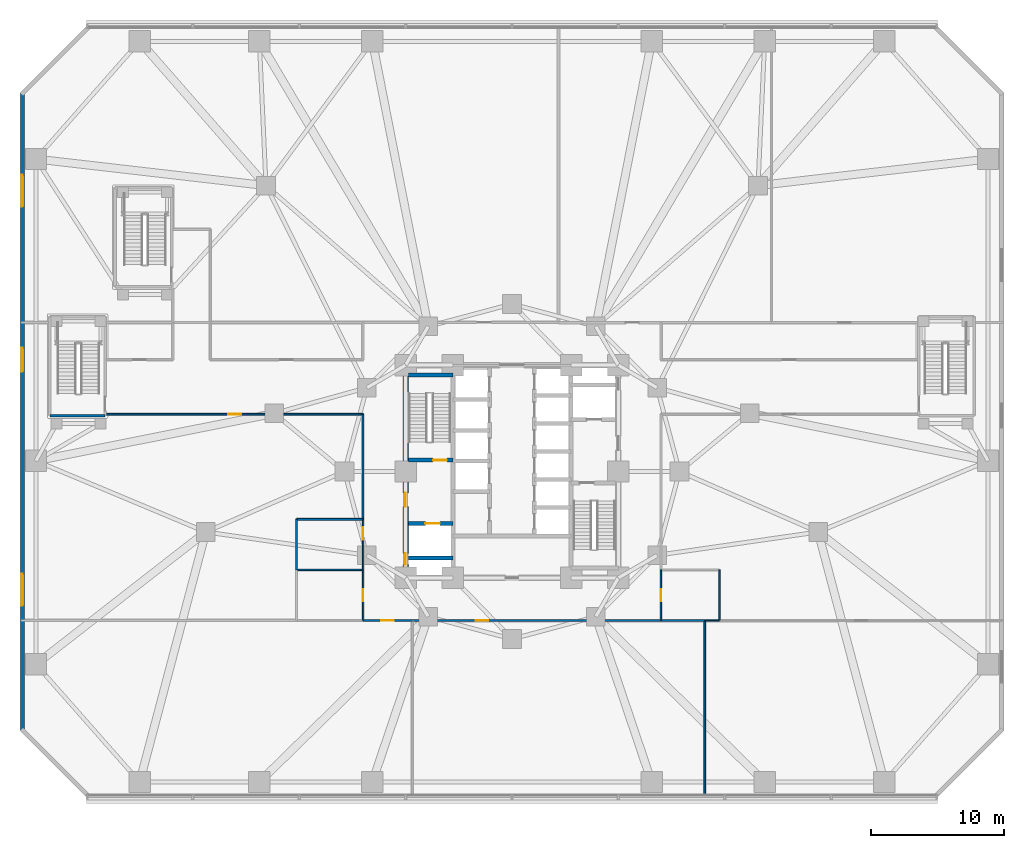
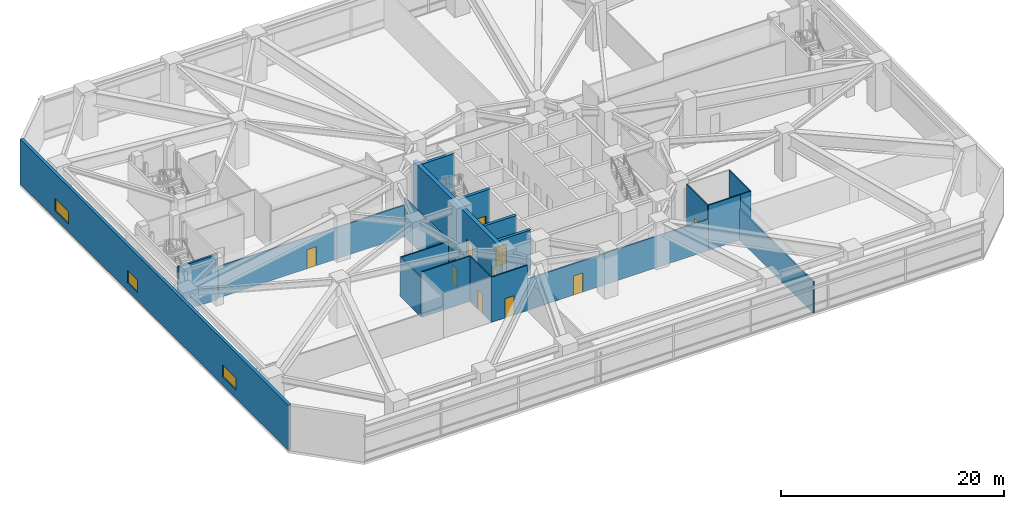
# One storey, part 15 of 27: 21 walls, 10 doors, 3 windows, 13 openings.
"""IFC4 building model written with IfcOpenShell, lengths in metres."""

import ifcopenshell
import ifcopenshell.guid

model = None  # the IFC model being written
_history = None  # IfcOwnerHistory: only IFC2X3 demands one
_inside = {}  # id of a spatial element -> (the spatial element, [elements in it])
_under = {}  # id of a project, library or spatial element -> (it, [spatial elements below it])
_declared = {}  # id of a project -> (the project, [libraries it declares])
_typed = {}  # id of a type object -> (the type object, [elements of that type])
_made_of = {}  # id of a material, layer set ... -> (it, [elements and type objects made of it])


def new_model(schema):
    """Start an empty IFC model of exactly this schema.

    Asked for "IFC4X3", IfcOpenShell would pick the latest addendum, in which some entities
    have other attributes; the version numbers below select the first issue.
    IFC2X3 requires an IfcOwnerHistory on every rooted entity: one is made here for all.
    """
    global model, _history
    if schema == "IFC4X3":
        model = ifcopenshell.file(schema_version=(4, 3, 0, 0))
    else:
        model = ifcopenshell.file(schema=schema)
    _inside.clear()
    _under.clear()
    _declared.clear()
    _typed.clear()
    _made_of.clear()
    _history = None
    if model.schema == "IFC2X3":
        org = make("IfcOrganization", Name="unknown")
        user = make(
            "IfcPersonAndOrganization",
            ThePerson=make("IfcPerson", FamilyName="unknown"),
            TheOrganization=org,
        )
        app = make(
            "IfcApplication",
            ApplicationDeveloper=org,
            Version="unknown",
            ApplicationFullName="unknown",
            ApplicationIdentifier="unknown",
        )
        _history = make(
            "IfcOwnerHistory",
            OwningUser=user,
            OwningApplication=app,
            ChangeAction="ADDED",
            CreationDate=0,
        )
    return model


def make(cls, **values):
    """One entity of the class cls with the attributes given. An attribute that is None is left unset."""
    return model.create_entity(
        cls, **{name: value for name, value in values.items() if value is not None}
    )


def rooted(cls, **values):
    """An entity with a GlobalId (a new one), such as an element, a storey or a relation."""
    return make(cls, GlobalId=ifcopenshell.guid.new(), OwnerHistory=_history, **values)


def si_unit(unit_type, name, prefix=None):
    """IfcSIUnit, for example si_unit("LENGTHUNIT", "METRE", prefix="MILLI")."""
    return make("IfcSIUnit", UnitType=unit_type, Prefix=prefix, Name=name)


def assignment(units):
    """IfcUnitAssignment: the units of a project."""
    return None if units is None else make("IfcUnitAssignment", Units=units)


def point(xyz):
    """IfcCartesianPoint."""
    return None if xyz is None else make("IfcCartesianPoint", Coordinates=xyz)


def direction(xyz):
    """IfcDirection."""
    return None if xyz is None else make("IfcDirection", DirectionRatios=xyz)


def frame(location, z_axis=None, x_axis=None):
    """IfcAxis2Placement3D, a coordinate frame: its origin and axes. An axis left out is left unset."""
    return make(
        "IfcAxis2Placement3D",
        Location=point(location),
        Axis=direction(z_axis),
        RefDirection=direction(x_axis),
    )


def frame_2d(location, x_axis=None):
    """IfcAxis2Placement2D, a coordinate frame in the plane: its origin and x axis."""
    return make(
        "IfcAxis2Placement2D", Location=point(location), RefDirection=direction(x_axis)
    )


def origin():
    """The frame at (0, 0, 0) with its axes left unset."""
    return frame((0.0, 0.0, 0.0))


def place(relative_to, where):
    """IfcLocalPlacement: puts the frame where relative to a parent placement (None: the world)."""
    return make(
        "IfcLocalPlacement", PlacementRelTo=relative_to, RelativePlacement=where
    )


def context(
    kind, dimensions, precision=None, world=None, true_north=None, identifier=None
):
    """IfcGeometricRepresentationContext, for example the 3D "Model" context."""
    return make(
        "IfcGeometricRepresentationContext",
        ContextIdentifier=identifier,
        ContextType=kind,
        CoordinateSpaceDimension=dimensions,
        Precision=precision,
        WorldCoordinateSystem=world,
        TrueNorth=true_north,
    )


def subcontext(parent, identifier, kind, view, scale=None):
    """IfcGeometricRepresentationSubContext, for example "Body" below "Model"."""
    return make(
        "IfcGeometricRepresentationSubContext",
        ContextIdentifier=identifier,
        ContextType=kind,
        ParentContext=parent,
        TargetScale=scale,
        TargetView=view,
    )


def project(units=None, contexts=None):
    """IfcProject with its units and contexts."""
    return rooted(
        "IfcProject",
        Name="project",
        RepresentationContexts=contexts,
        UnitsInContext=assignment(units),
    )


def spatial(cls, under=None, at=None, **own):
    """A site, building, storey or space (cls), placed at a placement, below another one or the project."""
    s = rooted(cls, ObjectPlacement=at, **own)
    if under is not None:
        _under.setdefault(under.id(), (under, []))[1].append(s)
    return s


def profile(cls, at=None, kind="AREA", **sizes):
    """A parametric profile (cls). Its sizes go by their IFC names, for example OverallWidth=200.0."""
    return make(cls, ProfileType=kind, Position=at, **sizes)


def rectangle(**sizes):
    """IfcRectangleProfileDef."""
    return profile("IfcRectangleProfileDef", **sizes)


def extrude(swept, where, along, depth):
    """IfcExtrudedAreaSolid: the profile swept, set in the frame where, extruded along a direction by depth."""
    return make(
        "IfcExtrudedAreaSolid",
        SweptArea=swept,
        Position=where,
        ExtrudedDirection=direction(along),
        Depth=depth,
    )


def shape(context_of_items, identifier, shape_type, items):
    """IfcShapeRepresentation: the items that make up one representation, for example the "Body"."""
    return make(
        "IfcShapeRepresentation",
        ContextOfItems=context_of_items,
        RepresentationIdentifier=identifier,
        RepresentationType=shape_type,
        Items=items,
    )


def material(Name=None, Category=None):
    """IfcMaterial."""
    return make("IfcMaterial", Name=Name, Category=Category)


def layer(
    of_material, thickness, ventilated=None, Name=None, Category=None, Priority=None
):
    """IfcMaterialLayer: one layer of a wall or slab, of a material (None: an air gap)."""
    return make(
        "IfcMaterialLayer",
        Material=of_material,
        LayerThickness=thickness,
        IsVentilated=ventilated,
        Name=Name,
        Category=Category,
        Priority=Priority,
    )


def layer_set(layers, Name=None):
    """IfcMaterialLayerSet."""
    return make("IfcMaterialLayerSet", MaterialLayers=layers, LayerSetName=Name)


def made_of(thing, what):
    """Note that an element or type object is made of a material, layer set ...; save() writes the relation."""
    if what is not None:
        _made_of.setdefault(what.id(), (what, []))[1].append(thing)
    return thing


def type_object(cls, material=None, **own):
    """A type object (cls), such as IfcWallType, which elements share."""
    return made_of(rooted(cls, **own), material)


def element(
    cls,
    number,
    at=None,
    inside=None,
    cuts=None,
    type_object=None,
    material=None,
    context=None,
    identifier="Body",
    shape_type=None,
    held_by="IfcProductDefinitionShape",
    body=None,
    shapes=None,
    **own,
):
    """One element of the class cls, such as IfcWall. Its Tag is "e" and its number.

    at: its placement. inside: the storey or other place that contains it. cuts: it is an
    opening in that element (IfcRelVoidsElement). A single representation is given by context,
    identifier, shape_type and body (its items); several are given by shapes. held_by: the class
    of the entity that holds the representations. save() writes the other relations.
    """
    e = rooted(cls, Tag="e%d" % number, ObjectPlacement=at, **own)
    if body is not None:
        shapes = [shape(context, identifier, shape_type, body)]
    if shapes is not None:
        e.Representation = make(held_by, Representations=shapes)
    if inside is not None:
        _inside.setdefault(inside.id(), (inside, []))[1].append(e)
    if cuts is not None:
        rooted(
            "IfcRelVoidsElement", RelatingBuildingElement=cuts, RelatedOpeningElement=e
        )
    if type_object is not None:
        _typed.setdefault(type_object.id(), (type_object, []))[1].append(e)
    return made_of(e, material)


def fill(opening, filler):
    """IfcRelFillsElement: the door or window that sits in an opening."""
    return rooted(
        "IfcRelFillsElement",
        RelatingOpeningElement=opening,
        RelatedBuildingElement=filler,
    )


def aggregate(whole, parts):
    """IfcRelAggregates: a whole, such as a stair, and the parts it consists of."""
    return rooted("IfcRelAggregates", RelatingObject=whole, RelatedObjects=parts)


def save(model, path):
    """Write the relations noted so far, then the file.

    IfcRelAggregates (storeys below a building ...), IfcRelContainedInSpatialStructure (elements
    in a storey), IfcRelDefinesByType, IfcRelAssociatesMaterial and IfcRelDeclares: one each for
    every whole, place, type object, material and project.
    """
    for whole, parts in _under.values():
        aggregate(whole, parts)
    for where, things in _inside.values():
        rooted(
            "IfcRelContainedInSpatialStructure",
            RelatedElements=things,
            RelatingStructure=where,
        )
    for kind, things in _typed.values():
        rooted("IfcRelDefinesByType", RelatedObjects=things, RelatingType=kind)
    for what, things in _made_of.values():
        rooted("IfcRelAssociatesMaterial", RelatedObjects=things, RelatingMaterial=what)
    for by, libraries in _declared.values():
        rooted("IfcRelDeclares", RelatingContext=by, RelatedDefinitions=libraries)
    model.write(path)


model = new_model("IFC4")

# Units and contexts
model_context = context("Model", 3, precision=1e-05, world=origin(), true_north=direction((0.0, 1.0)))
body_context = subcontext(model_context, "Body", "Model", "MODEL_VIEW")
ifc_project = project(units=[si_unit("LENGTHUNIT", "METRE"), si_unit("AREAUNIT", "SQUARE_METRE"), si_unit("VOLUMEUNIT", "CUBIC_METRE"), si_unit("PLANEANGLEUNIT", "RADIAN"), si_unit("MASSUNIT", "GRAM", prefix="KILO")], contexts=[model_context])

# Site, building, storey
site_placement = place(None, origin())
site = spatial("IfcSite", under=ifc_project, at=site_placement, CompositionType="ELEMENT")
building_placement = place(site_placement, origin())
building = spatial("IfcBuilding", under=site, at=building_placement, Name="Terralouvre Media Tower", CompositionType="ELEMENT")
storey_placement = place(building_placement, frame((0.0, 0.0, 15.60009765625)))
storey = spatial("IfcBuildingStorey", under=building, at=storey_placement, Name="L03", CompositionType="ELEMENT", Elevation=15.60009765625)

# Wall, opening, door
ifc_material_1 = material(Name="Concrete C50/60", Category="concrete")
ifc_layer_1 = layer(ifc_material_1, 0.300048828125, Name="Core Internal Shaft Wall CW-300")
ifc_layer_set_1 = layer_set([ifc_layer_1], Name="Concrete C50/60")
wall_type_1 = type_object("IfcWallType", Name="Core Internal Shaft Wall CW-300", PredefinedType="SHEAR", material=ifc_layer_set_1)
wall_1_placement = place(storey_placement, frame((-7.7900390625, 0.85009765625, 0.0), z_axis=(0.0, 0.0, 1.0), x_axis=(1.0, 0.0, 0.0)))
wall_1 = element("IfcWall", 1, at=wall_1_placement, inside=storey, type_object=wall_type_1, Name="L03 Core Shaft Wall ST1D", PredefinedType="SHEAR", context=body_context, shape_type="SweptSolid", body=[
    extrude(rectangle(XDim=3.340087890625, YDim=0.300048828125, at=frame_2d((1.669921875, 0.0))), origin(), (0.0, 0.0, 1.0), 4.949951171875),
])
opening_1_placement = place(wall_1_placement, frame((1.85009765625, 0.0, 0.0)))
opening_1 = element("IfcOpeningElement", 2, at=opening_1_placement, cuts=wall_1, Name="Opening FD-01-105X215", PredefinedType="OPENING", context=body_context, shape_type="SweptSolid", body=[
    extrude(rectangle(XDim=1.050048828125, YDim=2.14990234375, at=frame_2d((0.52490234375, 1.074951171875))), frame((0.0, 0.159912109375, 0.0), z_axis=(0.0, -1.0, 0.0), x_axis=(1.0, 0.0, 0.0)), (0.0, 0.0, 1.0), 0.320068359375),
])
ifc_material_2 = material(Name="Galvanised steel fire-resisting leaf", Category="steel")
door_type_1 = type_object("IfcDoorType", Name="Stair and Firefighting Lobby Fire Door FD-01 (1050x2150)", OperationType="NOTDEFINED", PredefinedType="DOOR", material=ifc_material_2)
door_1_placement = place(opening_1_placement, origin())
door_1 = element("IfcDoor", 3, at=door_1_placement, inside=storey, type_object=door_type_1, Name="L03 ST-01 Exit Stair Door", OperationType="SINGLE_SWING_LEFT", OverallHeight=2.14990234375, OverallWidth=1.050048828125, PredefinedType="DOOR", context=body_context, shape_type="SweptSolid", body=[
    extrude(rectangle(XDim=1.050048828125, YDim=2.14990234375, at=frame_2d((0.52490234375, 1.074951171875))), frame((0.0, 0.02490234375, 0.0), z_axis=(0.0, -1.0, 0.0), x_axis=(1.0, 0.0, 0.0)), (0.0, 0.0, 1.0), 0.050048828125),
])
fill(opening_1, door_1)

# Wall
wall_2_placement = place(storey_placement, frame((-7.7900390625, 7.260009765625, 0.0), z_axis=(0.0, 0.0, 1.0), x_axis=(1.0, 0.0, 0.0)))
element("IfcWall", 4, at=wall_2_placement, inside=storey, type_object=wall_type_1, Name="L03 Core Shaft Wall ST1F", PredefinedType="SHEAR", context=body_context, shape_type="SweptSolid", body=[
    extrude(rectangle(XDim=3.340087890625, YDim=0.300048828125, at=frame_2d((1.669921875, 0.0))), origin(), (0.0, 0.0, 1.0), 4.949951171875),
])

# Wall, opening, door
wall_3_placement = place(storey_placement, frame((-7.7900390625, -3.89990234375, 0.0), z_axis=(0.0, 0.0, 1.0), x_axis=(1.0, 0.0, 0.0)))
wall_3 = element("IfcWall", 5, at=wall_3_placement, inside=storey, type_object=wall_type_1, Name="L03 Core Shaft Wall FF1N", PredefinedType="SHEAR", context=body_context, shape_type="SweptSolid", body=[
    extrude(rectangle(XDim=3.340087890625, YDim=0.300048828125, at=frame_2d((1.669921875, 0.0))), origin(), (0.0, 0.0, 1.0), 4.949951171875),
])
opening_2_placement = place(wall_3_placement, frame((1.27001953125, 0.0, 0.0)))
opening_2 = element("IfcOpeningElement", 6, at=opening_2_placement, cuts=wall_3, Name="Opening LD-FF", PredefinedType="OPENING", context=body_context, shape_type="SweptSolid", body=[
    extrude(rectangle(XDim=1.10009765625, YDim=2.10009765625, at=frame_2d((0.550048828125, 1.050048828125))), frame((0.0, 0.159912109375, 0.0), z_axis=(0.0, -1.0, 0.0), x_axis=(1.0, 0.0, 0.0)), (0.0, 0.0, 1.0), 0.320068359375),
])
ifc_material_3 = material(Name="Stainless steel 316 handrail and balustrade", Category="steel")
door_type_2 = type_object("IfcDoorType", Name="Firefighting Lift Sliding Landing Door LD-FF", OperationType="SLIDING_TO_LEFT", PredefinedType="DOOR", material=ifc_material_3)
door_2_placement = place(opening_2_placement, origin())
door_2 = element("IfcDoor", 7, at=door_2_placement, inside=storey, type_object=door_type_2, Name="L03 Firefighting Lift FFL-01 Landing Door", OperationType="SLIDING_TO_LEFT", OverallHeight=2.10009765625, OverallWidth=1.10009765625, PredefinedType="DOOR", context=body_context, shape_type="SweptSolid", body=[
    extrude(rectangle(XDim=1.10009765625, YDim=2.10009765625, at=frame_2d((0.550048828125, 1.050048828125))), frame((0.0, 0.02490234375, 0.0), z_axis=(0.0, -1.0, 0.0), x_axis=(1.0, 0.0, 0.0)), (0.0, 0.0, 1.0), 0.050048828125),
])
fill(opening_2, door_2)

# Wall
wall_4_placement = place(storey_placement, frame((-7.7900390625, -6.5, 0.0), z_axis=(0.0, 0.0, 1.0), x_axis=(1.0, 0.0, 0.0)))
element("IfcWall", 8, at=wall_4_placement, inside=storey, type_object=wall_type_1, Name="L03 Core Shaft Wall FF1S", PredefinedType="SHEAR", context=body_context, shape_type="SweptSolid", body=[
    extrude(rectangle(XDim=3.340087890625, YDim=0.300048828125, at=frame_2d((1.669921875, 0.0))), origin(), (0.0, 0.0, 1.0), 4.949951171875),
])

# Wall, openings, doors
ifc_material_4 = material(Name="Concrete C60/75", Category="concrete")
ifc_layer_2 = layer(ifc_material_4, 0.419921875, Name="Core Reinforced Concrete Shear Wall CW-420")
ifc_layer_set_2 = layer_set([ifc_layer_2], Name="Concrete C60/75")
wall_type_2 = type_object("IfcWallType", Name="Core Reinforced Concrete Shear Wall CW-420", PredefinedType="SHEAR", material=ifc_layer_set_2)
wall_5_placement = place(storey_placement, frame((-8.0, -8.0, 0.0), z_axis=(0.0, 0.0, 1.0), x_axis=(0.0, 1.0, 0.0)))
wall_5 = element("IfcWall", 9, at=wall_5_placement, inside=storey, type_object=wall_type_2, Name="L03 W Core Shear Wall", PredefinedType="SHEAR", context=body_context, shape_type="SweptSolid", body=[
    extrude(rectangle(XDim=16.0, YDim=0.419921875, at=frame_2d((8.0, 0.0))), origin(), (0.0, 0.0, 1.0), 4.949951171875),
])
opening_3_placement = place(wall_5_placement, frame((1.001708984375, 0.0, 0.0)))
opening_3 = element("IfcOpeningElement", 10, at=opening_3_placement, cuts=wall_5, Name="Opening TD-R1", PredefinedType="OPENING", context=body_context, shape_type="SweptSolid", body=[
    extrude(rectangle(XDim=0.85009765625, YDim=2.02001953125, at=frame_2d((0.425048828125, 1.010009765625))), frame((0.0, 0.219970703125, 0.0), z_axis=(0.0, -1.0, 0.0), x_axis=(1.0, 0.0, 0.0)), (0.0, 0.0, 1.0), 0.43994140625),
])
opening_4_placement = place(wall_5_placement, frame((5.35009765625, 0.0, 0.0)))
opening_4 = element("IfcOpeningElement", 11, at=opening_4_placement, cuts=wall_5, Name="Opening FD-01-105X215", PredefinedType="OPENING", context=body_context, shape_type="SweptSolid", body=[
    extrude(rectangle(XDim=1.050048828125, YDim=2.14990234375, at=frame_2d((0.52490234375, 1.074951171875))), frame((0.0, 0.219970703125, 0.0), z_axis=(0.0, -1.0, 0.0), x_axis=(1.0, 0.0, 0.0)), (0.0, 0.0, 1.0), 0.43994140625),
])
ifc_material_5 = material(Name="Galvanised steel fire-resisting leaf", Category="steel")
door_type_3 = type_object("IfcDoorType", Name="Riser Inspection Access Trapdoor TD-R1", OperationType="NOTDEFINED", PredefinedType="TRAPDOOR", material=ifc_material_5)
door_3_placement = place(opening_3_placement, origin())
door_3 = element("IfcDoor", 12, at=door_3_placement, inside=storey, type_object=door_type_3, Name="L03 Wet Riser Access Trapdoor", OperationType="SINGLE_SWING_LEFT", OverallHeight=2.02001953125, OverallWidth=0.85009765625, PredefinedType="TRAPDOOR", context=body_context, shape_type="SweptSolid", body=[
    extrude(rectangle(XDim=0.85009765625, YDim=2.02001953125, at=frame_2d((0.425048828125, 1.010009765625))), frame((0.0, 0.02490234375, 0.0), z_axis=(0.0, -1.0, 0.0), x_axis=(1.0, 0.0, 0.0)), (0.0, 0.0, 1.0), 0.050048828125),
])
fill(opening_3, door_3)
door_4_placement = place(opening_4_placement, origin())
door_4 = element("IfcDoor", 13, at=door_4_placement, inside=storey, type_object=door_type_1, Name="L03 West Firefighting Lobby Entry Door", OperationType="SINGLE_SWING_RIGHT", OverallHeight=2.14990234375, OverallWidth=1.050048828125, PredefinedType="DOOR", context=body_context, shape_type="SweptSolid", body=[
    extrude(rectangle(XDim=1.050048828125, YDim=2.14990234375, at=frame_2d((0.52490234375, 1.074951171875))), frame((0.0, 0.02490234375, 0.0), z_axis=(0.0, -1.0, 0.0), x_axis=(1.0, 0.0, 0.0)), (0.0, 0.0, 1.0), 0.050048828125),
])
fill(opening_4, door_4)

# Walls
ifc_material_6 = material(Name="Low-iron laminated double glazing with solar-control coating", Category="glass")
ifc_layer_3 = layer(ifc_material_6, 0.10009765625, Name="Demountable Glazed Office Partition PT-GL100")
ifc_layer_set_3 = layer_set([ifc_layer_3], Name="Low-iron laminated double glazing with solar-control coating")
wall_type_3 = type_object("IfcWallType", Name="Demountable Glazed Office Partition PT-GL100", PredefinedType="MOVABLE", material=ifc_layer_set_3)
wall_6_placement = place(storey_placement, frame((15.60009765625, -11.199951171875, 0.0), z_axis=(0.0, 0.0, 1.0), x_axis=(-1.0, 0.0, 0.0)))
element("IfcWall", 14, at=wall_6_placement, inside=storey, type_object=wall_type_3, Name="L03 Interior Partition 033", PredefinedType="MOVABLE", context=body_context, shape_type="SweptSolid", body=[
    extrude(rectangle(XDim=1.10009765625, YDim=0.10009765625, at=frame_2d((0.550048828125, 0.0))), origin(), (0.0, 0.0, 1.0), 4.949951171875),
])
ifc_material_7 = material(Name="Fire-rated gypsum board drywall partition")
ifc_layer_4 = layer(ifc_material_7, 0.199951171875, Name="Fire-Rated Shaft and Lobby Partition FW-200")
ifc_layer_set_4 = layer_set([ifc_layer_4], Name="Fire-rated gypsum board drywall partition")
wall_type_4 = type_object("IfcWallType", Name="Fire-Rated Shaft and Lobby Partition FW-200", PredefinedType="SOLIDWALL", material=ifc_layer_set_4)
wall_7_placement = place(storey_placement, frame((-34.75, 4.199951171875, 0.0), z_axis=(0.0, 0.0, 1.0), x_axis=(1.0, 0.0, 0.0)))
element("IfcWall", 15, at=wall_7_placement, inside=storey, type_object=wall_type_4, Name="L03 ST03 Stair Shaft Wall S", PredefinedType="SOLIDWALL", context=body_context, shape_type="SweptSolid", body=[
    extrude(rectangle(XDim=4.14990234375, YDim=0.199951171875, at=frame_2d((2.074951171875, 0.0))), origin(), (0.0, 0.0, 1.0), 4.949951171875),
])

# Wall, opening, door
ifc_material_8 = material(Name="Fire-rated gypsum board drywall partition")
ifc_layer_5 = layer(ifc_material_8, 0.135009765625, Name="Newsroom Acoustic Partition PT-135")
ifc_layer_set_5 = layer_set([ifc_layer_5], Name="Fire-rated gypsum board drywall partition")
wall_type_5 = type_object("IfcWallType", Name="Newsroom Acoustic Partition PT-135", PredefinedType="PARTITIONING", material=ifc_layer_set_5)
wall_8_placement = place(storey_placement, frame((-30.5, 4.300048828125, 0.0), z_axis=(0.0, 0.0, 1.0), x_axis=(1.0, 0.0, 0.0)))
wall_8 = element("IfcWall", 16, at=wall_8_placement, inside=storey, type_object=wall_type_5, Name="L03 Interior Partition 002", PredefinedType="PARTITIONING", context=body_context, shape_type="SweptSolid", body=[
    extrude(rectangle(XDim=19.300048828125, YDim=0.135009765625, at=frame_2d((9.64990234375, 0.0))), origin(), (0.0, 0.0, 1.0), 3.434814453125),
])
opening_5_placement = place(wall_8_placement, frame((9.175048828125, 0.0, 0.0)))
opening_5 = element("IfcOpeningElement", 17, at=opening_5_placement, cuts=wall_8, Name="Opening ID-02-95X210", PredefinedType="OPENING", context=body_context, shape_type="SweptSolid", body=[
    extrude(rectangle(XDim=0.949951171875, YDim=2.10009765625, at=frame_2d((0.47509765625, 1.050048828125))), frame((0.0, 0.077392578125, 0.0), z_axis=(0.0, -1.0, 0.0), x_axis=(1.0, 0.0, 0.0)), (0.0, 0.0, 1.0), 0.155029296875),
])
ifc_material_9 = material(Name="Engineered hardwood acoustic timber leaf", Category="wood")
door_type_4 = type_object("IfcDoorType", Name="Office and Meeting Room Door ID-02 (950x2100)", OperationType="NOTDEFINED", PredefinedType="DOOR", material=ifc_material_9)
door_5_placement = place(opening_5_placement, origin())
door_5 = element("IfcDoor", 18, at=door_5_placement, inside=storey, type_object=door_type_4, Name="L03 L03 National Radio Concert Theatre 1 Door", OperationType="SINGLE_SWING_RIGHT", OverallHeight=2.10009765625, OverallWidth=0.949951171875, PredefinedType="DOOR", context=body_context, shape_type="SweptSolid", body=[
    extrude(rectangle(XDim=0.949951171875, YDim=2.10009765625, at=frame_2d((0.47509765625, 1.050048828125))), frame((0.0, 0.02490234375, 0.0), z_axis=(0.0, -1.0, 0.0), x_axis=(1.0, 0.0, 0.0)), (0.0, 0.0, 1.0), 0.050048828125),
])
fill(opening_5, door_5)

# Wall
wall_9_placement = place(storey_placement, frame((-11.199951171875, 4.300048828125, 0.0), z_axis=(0.0, 0.0, 1.0), x_axis=(0.0, -1.0, 0.0)))
element("IfcWall", 19, at=wall_9_placement, inside=storey, type_object=wall_type_5, Name="L03 Interior Partition 003", PredefinedType="PARTITIONING", context=body_context, shape_type="SweptSolid", body=[
    extrude(rectangle(XDim=7.900146484375, YDim=0.135009765625, at=frame_2d((3.9501953125, 0.0))), origin(), (0.0, 0.0, 1.0), 4.23486328125),
])

# Wall, opening, door
wall_10_placement = place(storey_placement, frame((-11.199951171875, -11.199951171875, 0.0), z_axis=(0.0, 0.0, 1.0), x_axis=(1.0, 0.0, 0.0)))
wall_10 = element("IfcWall", 20, at=wall_10_placement, inside=storey, type_object=wall_type_5, Name="L03 Interior Partition 006", PredefinedType="PARTITIONING", context=body_context, shape_type="SweptSolid", body=[
    extrude(rectangle(XDim=3.699951171875, YDim=0.135009765625, at=frame_2d((1.85009765625, 0.0))), origin(), (0.0, 0.0, 1.0), 4.949951171875),
])
opening_6_placement = place(wall_10_placement, frame((1.375, 0.0, 0.0)))
opening_6 = element("IfcOpeningElement", 21, at=opening_6_placement, cuts=wall_10, Name="Opening ID-02-95X210", PredefinedType="OPENING", context=body_context, shape_type="SweptSolid", body=[
    extrude(rectangle(XDim=0.949951171875, YDim=2.10009765625, at=frame_2d((0.47509765625, 1.050048828125))), frame((0.0, 0.077392578125, 0.0), z_axis=(0.0, -1.0, 0.0), x_axis=(1.0, 0.0, 0.0)), (0.0, 0.0, 1.0), 0.155029296875),
])
door_6_placement = place(opening_6_placement, origin())
door_6 = element("IfcDoor", 22, at=door_6_placement, inside=storey, type_object=door_type_4, Name="L03 L03 Podcast Production Open Office 2 Door", OperationType="SINGLE_SWING_LEFT", OverallHeight=2.10009765625, OverallWidth=0.949951171875, PredefinedType="DOOR", context=body_context, shape_type="SweptSolid", body=[
    extrude(rectangle(XDim=0.949951171875, YDim=2.10009765625, at=frame_2d((0.47509765625, 1.050048828125))), frame((0.0, 0.02490234375, 0.0), z_axis=(0.0, -1.0, 0.0), x_axis=(1.0, 0.0, 0.0)), (0.0, 0.0, 1.0), 0.050048828125),
])
fill(opening_6, door_6)

wall_11_placement = place(storey_placement, frame((-7.5, -11.199951171875, 0.0), z_axis=(0.0, 0.0, 1.0), x_axis=(1.0, 0.0, 0.0)))
wall_11 = element("IfcWall", 23, at=wall_11_placement, inside=storey, type_object=wall_type_5, Name="L03 Interior Partition 007", PredefinedType="PARTITIONING", context=body_context, shape_type="SweptSolid", body=[
    extrude(rectangle(XDim=18.699951171875, YDim=0.135009765625, at=frame_2d((9.35009765625, 0.0))), origin(), (0.0, 0.0, 1.0), 3.434814453125),
])
opening_7_placement = place(wall_11_placement, frame((4.760986328125, 0.0, 0.0)))
opening_7 = element("IfcOpeningElement", 24, at=opening_7_placement, cuts=wall_11, Name="Opening ID-02-95X210", PredefinedType="OPENING", context=body_context, shape_type="SweptSolid", body=[
    extrude(rectangle(XDim=0.949951171875, YDim=2.10009765625, at=frame_2d((0.47509765625, 1.050048828125))), frame((0.0, 0.077392578125, 0.0), z_axis=(0.0, -1.0, 0.0), x_axis=(1.0, 0.0, 0.0)), (0.0, 0.0, 1.0), 0.155029296875),
])
door_7_placement = place(opening_7_placement, origin())
door_7 = element("IfcDoor", 25, at=door_7_placement, inside=storey, type_object=door_type_4, Name="L03 L03 Press Conference Auditorium 3 Door", OperationType="SINGLE_SWING_RIGHT", OverallHeight=2.10009765625, OverallWidth=0.949951171875, PredefinedType="DOOR", context=body_context, shape_type="SweptSolid", body=[
    extrude(rectangle(XDim=0.949951171875, YDim=2.10009765625, at=frame_2d((0.47509765625, 1.050048828125))), frame((0.0, 0.02490234375, 0.0), z_axis=(0.0, -1.0, 0.0), x_axis=(1.0, 0.0, 0.0)), (0.0, 0.0, 1.0), 0.050048828125),
])
fill(opening_7, door_7)

# Walls
wall_12_placement = place(storey_placement, frame((-16.199951171875, -7.39990234375, 0.0), z_axis=(0.0, 0.0, 1.0), x_axis=(0.0, 1.0, 0.0)))
element("IfcWall", 26, at=wall_12_placement, inside=storey, type_object=wall_type_5, Name="L03 Interior Partition 023", PredefinedType="PARTITIONING", context=body_context, shape_type="SweptSolid", body=[
    extrude(rectangle(XDim=3.7998046875, YDim=0.135009765625, at=frame_2d((1.89990234375, 0.0))), origin(), (0.0, 0.0, 1.0), 4.23486328125),
])
wall_13_placement = place(storey_placement, frame((-16.199951171875, -3.60009765625, 0.0), z_axis=(0.0, 0.0, 1.0), x_axis=(1.0, 0.0, 0.0)))
element("IfcWall", 27, at=wall_13_placement, inside=storey, type_object=wall_type_5, Name="L03 Interior Partition 024", PredefinedType="PARTITIONING", context=body_context, shape_type="SweptSolid", body=[
    extrude(rectangle(XDim=5.0, YDim=0.135009765625, at=frame_2d((2.5, 0.0))), origin(), (0.0, 0.0, 1.0), 4.23486328125),
])
wall_14_placement = place(storey_placement, frame((14.5, -24.419921875, 0.0), z_axis=(0.0, 0.0, 1.0), x_axis=(0.0, 1.0, 0.0)))
element("IfcWall", 28, at=wall_14_placement, inside=storey, type_object=wall_type_5, Name="L03 Interior Partition 031", PredefinedType="PARTITIONING", context=body_context, shape_type="SweptSolid", body=[
    extrude(rectangle(XDim=13.219970703125, YDim=0.135009765625, at=frame_2d((6.60986328125, 0.0))), origin(), (0.0, 0.0, 1.0), 3.434814453125),
])
wall_15_placement = place(storey_placement, frame((14.5, -11.199951171875, 0.0), z_axis=(0.0, 0.0, 1.0), x_axis=(-1.0, 0.0, 0.0)))
element("IfcWall", 29, at=wall_15_placement, inside=storey, type_object=wall_type_5, Name="L03 Interior Partition 032", PredefinedType="PARTITIONING", context=body_context, shape_type="SweptSolid", body=[
    extrude(rectangle(XDim=3.300048828125, YDim=0.135009765625, at=frame_2d((1.64990234375, 0.0))), origin(), (0.0, 0.0, 1.0), 4.949951171875),
])

# Wall, openings, windows
ifc_material_10 = material(Name="Kiln-fired architectural terracotta rainscreen cladding", Category="masonry")
ifc_layer_6 = layer(ifc_material_10, 0.300048828125, Name="Podium Acoustic Terracotta Cladding Wall EW-TC300")
ifc_layer_set_6 = layer_set([ifc_layer_6], Name="Kiln-fired architectural terracotta rainscreen cladding")
wall_type_6 = type_object("IfcWallType", Name="Podium Acoustic Terracotta Cladding Wall EW-TC300", PredefinedType="SOLIDWALL", material=ifc_layer_set_6)
wall_16_placement = place(storey_placement, frame((-36.824951171875, 28.5, 0.0), z_axis=(0.0, 0.0, 1.0), x_axis=(0.0, -1.0, 0.0)))
wall_16 = element("IfcWall", 30, at=wall_16_placement, inside=storey, type_object=wall_type_6, Name="L03 Podium Terracotta Wall F6", PredefinedType="SOLIDWALL", context=body_context, shape_type="SweptSolid", body=[
    extrude(rectangle(XDim=48.0, YDim=0.300048828125, at=frame_2d((24.0, 0.0))), origin(), (0.0, 0.0, 1.0), 4.949951171875),
])
opening_8_placement = place(wall_16_placement, frame((6.199951171875, 0.0, 0.89990234375)))
opening_8 = element("IfcOpeningElement", 31, at=opening_8_placement, cuts=wall_16, Name="Opening W-01", PredefinedType="OPENING", context=body_context, shape_type="SweptSolid", body=[
    extrude(rectangle(XDim=2.39990234375, YDim=1.35009765625, at=frame_2d((1.199951171875, 0.675048828125))), frame((0.0, 0.159912109375, 0.0), z_axis=(0.0, -1.0, 0.0), x_axis=(1.0, 0.0, 0.0)), (0.0, 0.0, 1.0), 0.320068359375),
])
opening_9_placement = place(wall_16_placement, frame((19.199951171875, 0.0, 0.89990234375)))
opening_9 = element("IfcOpeningElement", 32, at=opening_9_placement, cuts=wall_16, Name="Opening W-02", PredefinedType="OPENING", context=body_context, shape_type="SweptSolid", body=[
    extrude(rectangle(XDim=1.800048828125, YDim=1.35009765625, at=frame_2d((0.89990234375, 0.675048828125))), frame((0.0, 0.159912109375, 0.0), z_axis=(0.0, -1.0, 0.0), x_axis=(1.0, 0.0, 0.0)), (0.0, 0.0, 1.0), 0.320068359375),
])
opening_10_placement = place(wall_16_placement, frame((36.199951171875, 0.0, 0.89990234375)))
opening_10 = element("IfcOpeningElement", 33, at=opening_10_placement, cuts=wall_16, Name="Opening W-01", PredefinedType="OPENING", context=body_context, shape_type="SweptSolid", body=[
    extrude(rectangle(XDim=2.39990234375, YDim=1.35009765625, at=frame_2d((1.199951171875, 0.675048828125))), frame((0.0, 0.159912109375, 0.0), z_axis=(0.0, -1.0, 0.0), x_axis=(1.0, 0.0, 0.0)), (0.0, 0.0, 1.0), 0.320068359375),
])
ifc_material_11 = material(Name="Low-iron laminated double glazing with solar-control coating", Category="glass")
window_type_1 = type_object("IfcWindowType", Name="Podium Acoustic Studio Window W-01", PartitioningType="SINGLE_PANEL", PredefinedType="WINDOW", material=ifc_material_11)
window_1_placement = place(opening_8_placement, origin())
window_1 = element("IfcWindow", 34, at=window_1_placement, inside=storey, type_object=window_type_1, Name="L03 Podium Window WIN-L03-F6-1", OverallHeight=1.35009765625, OverallWidth=2.39990234375, PartitioningType="SINGLE_PANEL", PredefinedType="WINDOW", context=body_context, shape_type="SweptSolid", body=[
    extrude(rectangle(XDim=2.39990234375, YDim=1.35009765625, at=frame_2d((1.199951171875, 0.675048828125))), frame((0.0, 0.030029296875, 0.0), z_axis=(0.0, -1.0, 0.0), x_axis=(1.0, 0.0, 0.0)), (0.0, 0.0, 1.0), 0.06005859375),
])
fill(opening_8, window_1)
window_2_placement = place(opening_10_placement, origin())
window_2 = element("IfcWindow", 35, at=window_2_placement, inside=storey, type_object=window_type_1, Name="L03 Podium Window WIN-L03-F6-3", OverallHeight=1.35009765625, OverallWidth=2.39990234375, PartitioningType="SINGLE_PANEL", PredefinedType="WINDOW", context=body_context, shape_type="SweptSolid", body=[
    extrude(rectangle(XDim=2.39990234375, YDim=1.35009765625, at=frame_2d((1.199951171875, 0.675048828125))), frame((0.0, 0.030029296875, 0.0), z_axis=(0.0, -1.0, 0.0), x_axis=(1.0, 0.0, 0.0)), (0.0, 0.0, 1.0), 0.06005859375),
])
fill(opening_10, window_2)
ifc_material_12 = material(Name="Low-iron laminated double glazing with solar-control coating", Category="glass")
window_type_2 = type_object("IfcWindowType", Name="Podium Press Office Window W-02", PartitioningType="SINGLE_PANEL", PredefinedType="WINDOW", material=ifc_material_12)
window_3_placement = place(opening_9_placement, origin())
window_3 = element("IfcWindow", 36, at=window_3_placement, inside=storey, type_object=window_type_2, Name="L03 Podium Window WIN-L03-F6-2", OverallHeight=1.35009765625, OverallWidth=1.800048828125, PartitioningType="SINGLE_PANEL", PredefinedType="WINDOW", context=body_context, shape_type="SweptSolid", body=[
    extrude(rectangle(XDim=1.800048828125, YDim=1.35009765625, at=frame_2d((0.89990234375, 0.675048828125))), frame((0.0, 0.030029296875, 0.0), z_axis=(0.0, -1.0, 0.0), x_axis=(1.0, 0.0, 0.0)), (0.0, 0.0, 1.0), 0.06005859375),
])
fill(opening_9, window_3)

# Wall, opening, door
ifc_material_13 = material(Name="Fire-rated gypsum board drywall partition")
ifc_layer_7 = layer(ifc_material_13, 0.114990234375, Name="Restroom and Pantry Partition PT-115")
ifc_layer_set_7 = layer_set([ifc_layer_7], Name="Fire-rated gypsum board drywall partition")
wall_type_7 = type_object("IfcWallType", Name="Restroom and Pantry Partition PT-115", PredefinedType="PARTITIONING", material=ifc_layer_set_7)
wall_17_placement = place(storey_placement, frame((-11.199951171875, -3.60009765625, 0.0), z_axis=(0.0, 0.0, 1.0), x_axis=(0.0, -1.0, 0.0)))
wall_17 = element("IfcWall", 37, at=wall_17_placement, inside=storey, type_object=wall_type_7, Name="L03 Interior Partition 004", PredefinedType="PARTITIONING", context=body_context, shape_type="SweptSolid", body=[
    extrude(rectangle(XDim=3.7998046875, YDim=0.114990234375, at=frame_2d((1.89990234375, 0.0))), origin(), (0.0, 0.0, 1.0), 4.23486328125),
])
opening_11_placement = place(wall_17_placement, frame((0.60400390625, 0.0, 0.0)))
opening_11 = element("IfcOpeningElement", 38, at=opening_11_placement, cuts=wall_17, Name="Opening ID-03-92X210", PredefinedType="OPENING", context=body_context, shape_type="SweptSolid", body=[
    extrude(rectangle(XDim=0.919921875, YDim=2.10009765625, at=frame_2d((0.4599609375, 1.050048828125))), frame((0.0, 0.0673828125, 0.0), z_axis=(0.0, -1.0, 0.0), x_axis=(1.0, 0.0, 0.0)), (0.0, 0.0, 1.0), 0.135009765625),
])
ifc_material_14 = material(Name="Engineered hardwood acoustic timber leaf", Category="wood")
door_type_5 = type_object("IfcDoorType", Name="Accessible Restroom and Suite Door ID-03 (920x2100)", OperationType="NOTDEFINED", PredefinedType="DOOR", material=ifc_material_14)
door_8_placement = place(opening_11_placement, origin())
door_8 = element("IfcDoor", 39, at=door_8_placement, inside=storey, type_object=door_type_5, Name="L03 L03 Podium Female Restroom WC Door", OperationType="SINGLE_SWING_LEFT", OverallHeight=2.10009765625, OverallWidth=0.919921875, PredefinedType="DOOR", context=body_context, shape_type="SweptSolid", body=[
    extrude(rectangle(XDim=0.919921875, YDim=2.10009765625, at=frame_2d((0.4599609375, 1.050048828125))), frame((0.0, 0.02490234375, 0.0), z_axis=(0.0, -1.0, 0.0), x_axis=(1.0, 0.0, 0.0)), (0.0, 0.0, 1.0), 0.050048828125),
])
fill(opening_11, door_8)

wall_18_placement = place(storey_placement, frame((-11.199951171875, -7.39990234375, 0.0), z_axis=(0.0, 0.0, 1.0), x_axis=(0.0, -1.0, 0.0)))
wall_18 = element("IfcWall", 40, at=wall_18_placement, inside=storey, type_object=wall_type_7, Name="L03 Interior Partition 005", PredefinedType="PARTITIONING", context=body_context, shape_type="SweptSolid", body=[
    extrude(rectangle(XDim=3.800048828125, YDim=0.114990234375, at=frame_2d((1.89990234375, 0.0))), origin(), (0.0, 0.0, 1.0), 4.949951171875),
])
opening_12_placement = place(wall_18_placement, frame((1.43994140625, 0.0, 0.0)))
opening_12 = element("IfcOpeningElement", 41, at=opening_12_placement, cuts=wall_18, Name="Opening ID-03-92X210", PredefinedType="OPENING", context=body_context, shape_type="SweptSolid", body=[
    extrude(rectangle(XDim=0.919921875, YDim=2.10009765625, at=frame_2d((0.4599609375, 1.050048828125))), frame((0.0, 0.0673828125, 0.0), z_axis=(0.0, -1.0, 0.0), x_axis=(1.0, 0.0, 0.0)), (0.0, 0.0, 1.0), 0.135009765625),
])
door_9_placement = place(opening_12_placement, origin())
door_9 = element("IfcDoor", 42, at=door_9_placement, inside=storey, type_object=door_type_5, Name="L03 L03 Podium Male Restroom WC Door", OperationType="SINGLE_SWING_RIGHT", OverallHeight=2.10009765625, OverallWidth=0.919921875, PredefinedType="DOOR", context=body_context, shape_type="SweptSolid", body=[
    extrude(rectangle(XDim=0.919921875, YDim=2.10009765625, at=frame_2d((0.4599609375, 1.050048828125))), frame((0.0, 0.02490234375, 0.0), z_axis=(0.0, -1.0, 0.0), x_axis=(1.0, 0.0, 0.0)), (0.0, 0.0, 1.0), 0.050048828125),
])
fill(opening_12, door_9)

wall_19_placement = place(storey_placement, frame((11.199951171875, -11.199951171875, 0.0), z_axis=(0.0, 0.0, 1.0), x_axis=(0.0, 1.0, 0.0)))
wall_19 = element("IfcWall", 43, at=wall_19_placement, inside=storey, type_object=wall_type_7, Name="L03 Interior Partition 008", PredefinedType="PARTITIONING", context=body_context, shape_type="SweptSolid", body=[
    extrude(rectangle(XDim=3.800048828125, YDim=0.114990234375, at=frame_2d((1.89990234375, 0.0))), origin(), (0.0, 0.0, 1.0), 4.949951171875),
])
opening_13_placement = place(wall_19_placement, frame((1.43994140625, 0.0, 0.0)))
opening_13 = element("IfcOpeningElement", 44, at=opening_13_placement, cuts=wall_19, Name="Opening ID-03-92X210", PredefinedType="OPENING", context=body_context, shape_type="SweptSolid", body=[
    extrude(rectangle(XDim=0.919921875, YDim=2.10009765625, at=frame_2d((0.4599609375, 1.050048828125))), frame((0.0, 0.0673828125, 0.0), z_axis=(0.0, -1.0, 0.0), x_axis=(1.0, 0.0, 0.0)), (0.0, 0.0, 1.0), 0.135009765625),
])
door_10_placement = place(opening_13_placement, origin())
door_10 = element("IfcDoor", 45, at=door_10_placement, inside=storey, type_object=door_type_5, Name="L03 L03 Podium Accessible Unisex WC Door", OperationType="SINGLE_SWING_LEFT", OverallHeight=2.10009765625, OverallWidth=0.919921875, PredefinedType="DOOR", context=body_context, shape_type="SweptSolid", body=[
    extrude(rectangle(XDim=0.919921875, YDim=2.10009765625, at=frame_2d((0.4599609375, 1.050048828125))), frame((0.0, 0.02490234375, 0.0), z_axis=(0.0, -1.0, 0.0), x_axis=(1.0, 0.0, 0.0)), (0.0, 0.0, 1.0), 0.050048828125),
])
fill(opening_13, door_10)

# Walls
wall_20_placement = place(storey_placement, frame((-16.199951171875, -7.39990234375, 0.0), z_axis=(0.0, 0.0, 1.0), x_axis=(1.0, 0.0, 0.0)))
element("IfcWall", 46, at=wall_20_placement, inside=storey, type_object=wall_type_7, Name="L03 Interior Partition 028", PredefinedType="PARTITIONING", context=body_context, shape_type="SweptSolid", body=[
    extrude(rectangle(XDim=5.0, YDim=0.114990234375, at=frame_2d((2.5, 0.0))), origin(), (0.0, 0.0, 1.0), 4.949951171875),
])
wall_21_placement = place(storey_placement, frame((15.60009765625, -11.199951171875, 0.0), z_axis=(0.0, 0.0, 1.0), x_axis=(0.0, 1.0, 0.0)))
element("IfcWall", 47, at=wall_21_placement, inside=storey, type_object=wall_type_7, Name="L03 Interior Partition 035", PredefinedType="PARTITIONING", context=body_context, shape_type="SweptSolid", body=[
    extrude(rectangle(XDim=3.800048828125, YDim=0.114990234375, at=frame_2d((1.89990234375, 0.0))), origin(), (0.0, 0.0, 1.0), 4.949951171875),
])

save(model, "model.ifc")
